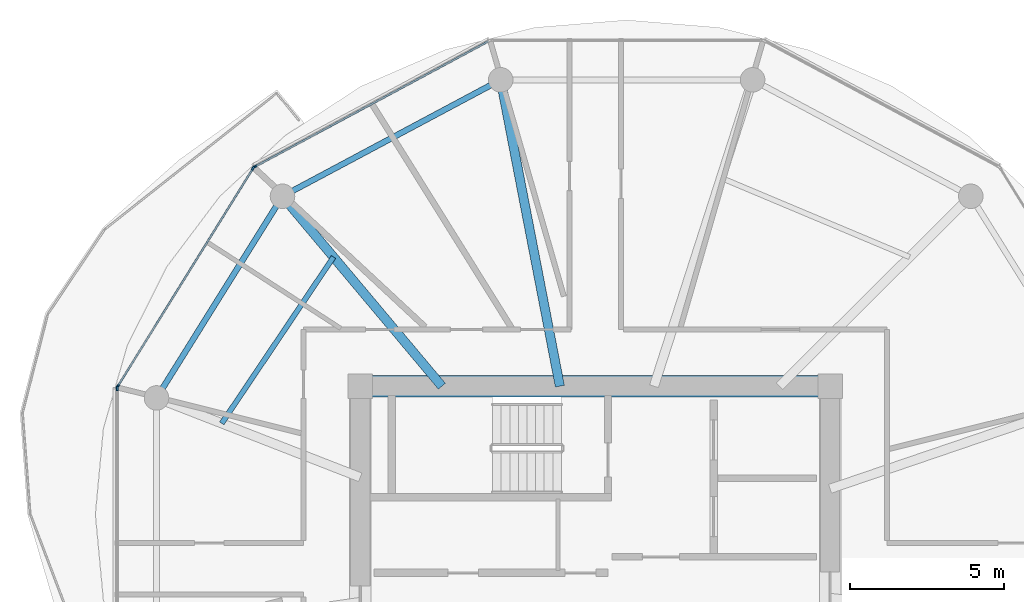
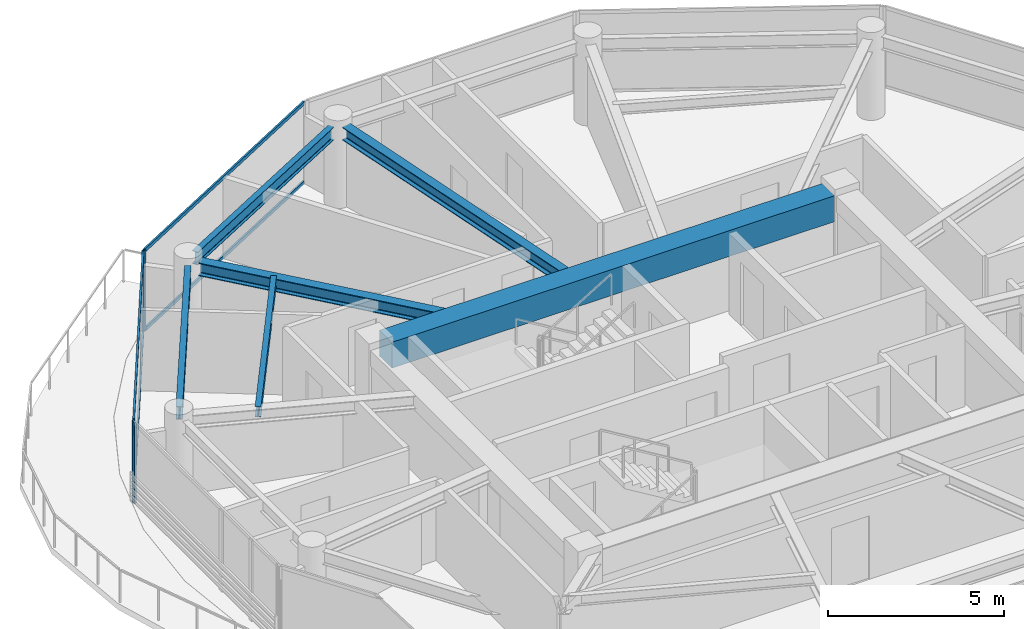
# One storey, part 4 of 23: 8 members, 6 beams, 3 elements without a shape of their own.
"""IFC4 building model written with IfcOpenShell, lengths in metres."""

from ifc_helpers import new_model, si_unit, direction, frame, origin, origin_2d, place, context, subcontext, project, spatial, rectangle, i_section, extrude, source, transform, mapped, material, layer, layer_set, material_profile, profile_set, type_object, type_shapes, element, aggregate, save


model = new_model("IFC4")

# Units and contexts
model_context = context("Model", 3, precision=1e-05, world=origin(), true_north=direction((0.0, 1.0)))
body_context = subcontext(model_context, "Body", "Model", "MODEL_VIEW")
ifc_project = project(units=[si_unit("LENGTHUNIT", "METRE"), si_unit("AREAUNIT", "SQUARE_METRE"), si_unit("VOLUMEUNIT", "CUBIC_METRE"), si_unit("PLANEANGLEUNIT", "RADIAN"), si_unit("MASSUNIT", "GRAM", prefix="KILO")], contexts=[model_context])

# Site, building, storey
site_placement = place(None, origin())
site = spatial("IfcSite", under=ifc_project, at=site_placement, CompositionType="ELEMENT")
building_placement = place(site_placement, origin())
building = spatial("IfcBuilding", under=site, at=building_placement, Name="Norrkilde Senior Care Towers", CompositionType="ELEMENT")
storey_placement = place(building_placement, frame((0.0, 0.0, 158.699951171875)))
storey = spatial("IfcBuildingStorey", under=building, at=storey_placement, Name="L49", CompositionType="ELEMENT", Elevation=158.699951171875)

# Beams
ifc_material_1 = material(Name="Concrete C60/75", Category="concrete")
ifc_material_profile_1 = material_profile(ifc_material_1, rectangle(XDim=0.699951171875, YDim=0.89990234375, at=origin_2d()), Name="RC BM 700x900")
ifc_profile_set_1 = profile_set([ifc_material_profile_1], Name="Concrete C60/75")
beam_type_1 = type_object("IfcBeamType", Name="Core Coupling Girder 700x900", PredefinedType="USERDEFINED", material=ifc_profile_set_1)
shared_shape_1 = source(origin(), body_context, "Body", "SweptSolid", [
    extrude(rectangle(XDim=0.699951171875, YDim=0.89990234375, at=origin_2d()), origin(), (0.0, 0.0, 1.0), 14.5400390625),
])
type_shapes(beam_type_1, [shared_shape_1])
beam_1_placement = place(storey_placement, frame((-35.27001953125, 5.949951171875, 2.360107421875), z_axis=(1.0, 0.0, 0.0), x_axis=(0.0, 1.0, 0.0)))
element("IfcBeam", 1, at=beam_1_placement, inside=storey, type_object=beam_type_1, Name="L49 Core W N Coupling Girder", ObjectType="GIRDER", PredefinedType="USERDEFINED", context=body_context, shape_type="MappedRepresentation", body=[
    mapped(shared_shape_1, transform((0.0, 0.0, 0.0), x_axis=(1.0, 0.0, 0.0), y_axis=(0.0, 1.0, 0.0), z_axis=(0.0, 0.0, 1.0), scale=1.0)),
])
ifc_material_2 = material(Name="Steel S355", Category="steel")
ifc_material_profile_2 = material_profile(ifc_material_2, i_section(OverallWidth=0.18994140625, OverallDepth=0.449951171875, WebThickness=0.009521484375, FlangeThickness=0.0146484375, FilletRadius=0.02099609375, at=origin_2d()), Name="IPE 450")
ifc_profile_set_2 = profile_set([ifc_material_profile_2], Name="Steel S355")
beam_type_2 = type_object("IfcBeamType", Name="Perimeter Ring Spandrel Z3 IPE450", PredefinedType="SPANDREL", material=ifc_profile_set_2)
shared_shape_2 = source(origin(), body_context, "Body", "SweptSolid", [
    extrude(i_section(OverallWidth=0.18994140625, OverallDepth=0.449951171875, WebThickness=0.009521484375, FlangeThickness=0.0146484375, FilletRadius=0.02099609375, at=origin_2d()), origin(), (0.0, 0.0, 1.0), 7.0234375),
])
beam_2_placement = place(storey_placement, frame((-38.373291015625, 11.8291015625, 2.5849609375), z_axis=(-0.529789577822, -0.848129119433, 0.0), x_axis=(0.848129119433, -0.529789577822, 0.0)))
element("IfcBeam", 2, at=beam_2_placement, inside=storey, type_object=beam_type_2, Name="L49 Drum W Perimeter Spandrel 05", PredefinedType="SPANDREL", context=body_context, shape_type="MappedRepresentation", body=[
    mapped(shared_shape_2, transform((0.0, 0.0, 0.0), x_axis=(1.0, 0.0, 0.0), y_axis=(0.0, 1.0, 0.0), z_axis=(0.0, 0.0, 1.0), scale=1.0)),
])
shared_shape_3 = source(origin(), body_context, "Body", "SweptSolid", [
    extrude(i_section(OverallWidth=0.18994140625, OverallDepth=0.449951171875, WebThickness=0.009521484375, FlangeThickness=0.0146484375, FilletRadius=0.02099609375, at=origin_2d()), origin(), (0.0, 0.0, 1.0), 7.333740234375),
])
type_shapes(beam_type_2, [shared_shape_2, shared_shape_3])
beam_3_placement = place(storey_placement, frame((-31.394775390625, 15.756591796875, 2.5849609375), z_axis=(-0.882247866069, -0.470785198172, 0.0), x_axis=(0.470785198172, -0.882247866069, 0.0)))
element("IfcBeam", 3, at=beam_3_placement, inside=storey, type_object=beam_type_2, Name="L49 Drum W Perimeter Spandrel 04", PredefinedType="SPANDREL", context=body_context, shape_type="MappedRepresentation", body=[
    mapped(shared_shape_3, transform((0.0, 0.0, 0.0), x_axis=(1.0, 0.0, 0.0), y_axis=(0.0, 1.0, 0.0), z_axis=(0.0, 0.0, 1.0), scale=1.0)),
])
ifc_material_profile_3 = material_profile(ifc_material_2, i_section(OverallWidth=0.300048828125, OverallDepth=0.449951171875, WebThickness=0.013916015625, FlangeThickness=0.02587890625, FilletRadius=0.027099609375, at=origin_2d()), Name="HEB 450")
ifc_profile_set_3 = profile_set([ifc_material_profile_3], Name="Steel S355")
beam_type_3 = type_object("IfcBeamType", Name="Radial Floor Beam Z3 HEB450", PredefinedType="BEAM", material=ifc_profile_set_3)
shared_shape_4 = source(origin(), body_context, "Body", "SweptSolid", [
    extrude(i_section(OverallWidth=0.300048828125, OverallDepth=0.449951171875, WebThickness=0.013916015625, FlangeThickness=0.02587890625, FilletRadius=0.027099609375, at=origin_2d()), origin(), (0.0, 0.0, 1.0), 9.80078125),
])
beam_4_placement = place(storey_placement, frame((-29.149658203125, 5.949951171875, 2.5849609375), z_axis=(-0.189716727661, 0.98183886827, 0.0), x_axis=(-0.98183886827, -0.189716727661, 0.0)))
element("IfcBeam", 4, at=beam_4_placement, inside=storey, type_object=beam_type_3, Name="L49 Drum W Radial Floor Beam 04", PredefinedType="BEAM", context=body_context, shape_type="MappedRepresentation", body=[
    mapped(shared_shape_4, transform((0.0, 0.0, 0.0), x_axis=(1.0, 0.0, 0.0), y_axis=(0.0, 1.0, 0.0), z_axis=(0.0, 0.0, 1.0), scale=1.0)),
])
shared_shape_5 = source(origin(), body_context, "Body", "SweptSolid", [
    extrude(i_section(OverallWidth=0.300048828125, OverallDepth=0.449951171875, WebThickness=0.013916015625, FlangeThickness=0.02587890625, FilletRadius=0.027099609375, at=origin_2d()), origin(), (0.0, 0.0, 1.0), 7.71337890625),
])
type_shapes(beam_type_3, [shared_shape_4, shared_shape_5])
beam_5_placement = place(storey_placement, frame((-32.992919921875, 5.949951171875, 2.5849609375), z_axis=(-0.642808239864, 0.766027131872, 0.0), x_axis=(-0.766027131872, -0.642808239864, 0.0)))
element("IfcBeam", 5, at=beam_5_placement, inside=storey, type_object=beam_type_3, Name="L49 Drum W Radial Floor Beam 05", PredefinedType="BEAM", context=body_context, shape_type="MappedRepresentation", body=[
    mapped(shared_shape_5, transform((0.0, 0.0, 0.0), x_axis=(1.0, 0.0, 0.0), y_axis=(0.0, 1.0, 0.0), z_axis=(0.0, 0.0, 1.0), scale=1.0)),
])
ifc_material_profile_4 = material_profile(ifc_material_2, i_section(OverallWidth=0.169921875, OverallDepth=0.360107421875, WebThickness=0.008056640625, FlangeThickness=0.0126953125, FilletRadius=0.01806640625, at=origin_2d()), Name="IPE 360")
ifc_profile_set_4 = profile_set([ifc_material_profile_4], Name="Steel S355")
beam_type_4 = type_object("IfcBeamType", Name="Secondary Floor Joist IPE360", PredefinedType="JOIST", material=ifc_profile_set_4)
shared_shape_6 = source(origin(), body_context, "Body", "SweptSolid", [
    extrude(i_section(OverallWidth=0.169921875, OverallDepth=0.360107421875, WebThickness=0.008056640625, FlangeThickness=0.0126953125, FilletRadius=0.01806640625, at=origin_2d()), origin(), (0.0, 0.0, 1.0), 6.525390625),
])
type_shapes(beam_type_4, [shared_shape_6])
beam_6_placement = place(storey_placement, frame((-36.52197265625, 10.155517578125, 2.630126953125), z_axis=(-0.55779590102, -0.829978152005, 0.0), x_axis=(0.829978152005, -0.55779590102, 0.0)))
element("IfcBeam", 6, at=beam_6_placement, inside=storey, type_object=beam_type_4, Name="L49 Drum W Secondary Floor Joist 2", PredefinedType="JOIST", context=body_context, shape_type="MappedRepresentation", body=[
    mapped(shared_shape_6, transform((0.0, 0.0, 0.0), x_axis=(1.0, 0.0, 0.0), y_axis=(0.0, 1.0, 0.0), z_axis=(0.0, 0.0, 1.0), scale=1.0)),
])

# Curtain wall, member
ifc_material_3 = material(Name="Triple Low-E Insulated Glazing", Category="glass")
ifc_layer = layer(ifc_material_3, 0.18994140625)
ifc_layer_set = layer_set([ifc_layer], Name="Triple Low-E Insulated Glazing")
curtain_wall_type = type_object("IfcCurtainWallType", Name="CW4 Zone 3 Senior Residence Curtain Wall", PredefinedType="NOTDEFINED", material=ifc_layer_set)
curtain_wall_1_placement = place(storey_placement, origin())
curtain_wall_1 = element("IfcCurtainWall", 7, at=curtain_wall_1_placement, inside=storey, type_object=curtain_wall_type, Name="L49 Drum W Curtain Wall 03", PredefinedType="NOTDEFINED")
ifc_material_4 = material(Name="Anodised Aluminium", Category="aluminium")
ifc_material_profile_5 = material_profile(ifc_material_4, rectangle(XDim=0.06494140625, YDim=0.14990234375, at=origin_2d()), Name="ALU MULL 65x150")
ifc_profile_set_5 = profile_set([ifc_material_profile_5], Name="Anodised Aluminium")
member_type_1 = type_object("IfcMemberType", Name="Curtain Wall Mullion Z3-Z4 65x150", PredefinedType="MULLION", material=ifc_profile_set_5)
shared_shape_7 = source(origin(), body_context, "Body", "SweptSolid", [
    extrude(rectangle(XDim=0.06494140625, YDim=0.14990234375, at=origin_2d()), origin(), (0.0, 0.0, 1.0), 2.81005859375),
])
type_shapes(member_type_1, [shared_shape_7])
member_1_placement = place(storey_placement, frame((-39.094482421875, 13.09033203125, 0.0), z_axis=(0.0, 0.0, 1.0), x_axis=(-0.47311715104, 0.880999524059, 0.0)))
member_1 = element("IfcMember", 8, at=member_1_placement, type_object=member_type_1, Name="CW-4 mullion 1", PredefinedType="MULLION", context=body_context, shape_type="MappedRepresentation", body=[
    mapped(shared_shape_7, transform((0.0, 0.0, 0.0), x_axis=(1.0, 0.0, 0.0), y_axis=(0.0, 1.0, 0.0), z_axis=(0.0, 0.0, 1.0), scale=1.0)),
])

# Curtain wall, members
curtain_wall_2_placement = place(storey_placement, origin())
curtain_wall_2 = element("IfcCurtainWall", 9, at=curtain_wall_2_placement, inside=storey, type_object=curtain_wall_type, Name="L49 Drum W Curtain Wall 04", PredefinedType="NOTDEFINED")
member_2_placement = place(storey_placement, frame((-43.552490234375, 5.93896484375, 0.0), z_axis=(0.0, 0.0, 1.0), x_axis=(-0.84963405474, 0.52737270789, 0.0)))
member_2 = element("IfcMember", 10, at=member_2_placement, type_object=member_type_1, Name="CW-4 mullion 1", PredefinedType="MULLION", context=body_context, shape_type="MappedRepresentation", body=[
    mapped(shared_shape_7, transform((0.0, 0.0, 0.0), x_axis=(1.0, 0.0, 0.0), y_axis=(0.0, 1.0, 0.0), z_axis=(0.0, 0.0, 1.0), scale=1.0)),
])
member_3_placement = place(storey_placement, frame((-39.14013671875, 13.04736328125, 0.0), z_axis=(0.0, 0.0, 1.0), x_axis=(-0.84963405474, 0.52737270789, 0.0)))
member_3 = element("IfcMember", 11, at=member_3_placement, type_object=member_type_1, Name="CW-4 mullion 2", PredefinedType="MULLION", context=body_context, shape_type="MappedRepresentation", body=[
    mapped(shared_shape_7, transform((0.0, 0.0, 0.0), x_axis=(1.0, 0.0, 0.0), y_axis=(0.0, 1.0, 0.0), z_axis=(0.0, 0.0, 1.0), scale=1.0)),
])

# Curtain wall, member
curtain_wall_3_placement = place(storey_placement, origin())
curtain_wall_3 = element("IfcCurtainWall", 12, at=curtain_wall_3_placement, inside=storey, type_object=curtain_wall_type, Name="L49 Drum W Curtain Wall 05", PredefinedType="NOTDEFINED")
member_4_placement = place(storey_placement, frame((-43.569580078125, 5.878662109375, 0.0), z_axis=(0.0, 0.0, 1.0), x_axis=(-1.0, 0.0, 0.0)))
member_4 = element("IfcMember", 13, at=member_4_placement, type_object=member_type_1, Name="CW-4 mullion 2", PredefinedType="MULLION", context=body_context, shape_type="MappedRepresentation", body=[
    mapped(shared_shape_7, transform((0.0, 0.0, 0.0), x_axis=(1.0, 0.0, 0.0), y_axis=(0.0, 1.0, 0.0), z_axis=(0.0, 0.0, 1.0), scale=1.0)),
])
aggregate(curtain_wall_3, [member_4])

# Member
ifc_material_profile_6 = material_profile(ifc_material_4, rectangle(XDim=0.06005859375, YDim=0.1201171875, at=origin_2d()), Name="ALU TRAN 60x120")
ifc_profile_set_6 = profile_set([ifc_material_profile_6], Name="Anodised Aluminium")
member_type_2 = type_object("IfcMemberType", Name="Curtain Wall Transom Typical 60x120", PredefinedType="USERDEFINED", material=ifc_profile_set_6)
shared_shape_8 = source(origin(), body_context, "Body", "SweptSolid", [
    extrude(rectangle(XDim=0.06005859375, YDim=0.1201171875, at=origin_2d()), origin(), (0.0, 0.0, 1.0), 8.301513671875),
])
member_5_placement = place(storey_placement, frame((-43.535400390625, 5.966552734375, 0.030029296875), z_axis=(0.527368718394, 0.849636531029, 0.0), x_axis=(-0.849636531029, 0.527368718394, 0.0)))
member_5 = element("IfcMember", 14, at=member_5_placement, type_object=member_type_2, Name="CW-4 transom 1.1", ObjectType="TRANSOM", PredefinedType="USERDEFINED", context=body_context, shape_type="MappedRepresentation", body=[
    mapped(shared_shape_8, transform((0.0, 0.0, 0.0), x_axis=(1.0, 0.0, 0.0), y_axis=(0.0, 1.0, 0.0), z_axis=(0.0, 0.0, 1.0), scale=1.0)),
])

member_6_placement = place(storey_placement, frame((-43.535400390625, 5.966552734375, 2.780029296875), z_axis=(0.527368718394, 0.849636531029, 0.0), x_axis=(-0.849636531029, 0.527368718394, 0.0)))
member_6 = element("IfcMember", 15, at=member_6_placement, type_object=member_type_2, Name="CW-4 transom 1.2", ObjectType="TRANSOM", PredefinedType="USERDEFINED", context=body_context, shape_type="MappedRepresentation", body=[
    mapped(shared_shape_8, transform((0.0, 0.0, 0.0), x_axis=(1.0, 0.0, 0.0), y_axis=(0.0, 1.0, 0.0), z_axis=(0.0, 0.0, 1.0), scale=1.0)),
])

aggregate(curtain_wall_2, [member_2, member_3, member_5, member_6])

shared_shape_9 = source(origin(), body_context, "Body", "SweptSolid", [
    extrude(rectangle(XDim=0.06005859375, YDim=0.1201171875, at=origin_2d()), origin(), (0.0, 0.0, 1.0), 8.612060546875),
])
type_shapes(member_type_2, [shared_shape_8, shared_shape_9])
member_7_placement = place(storey_placement, frame((-39.06591796875, 13.105712890625, 0.030029296875), z_axis=(0.881000337462, 0.473115636384, 0.0), x_axis=(-0.473115636384, 0.881000337462, 0.0)))
member_7 = element("IfcMember", 16, at=member_7_placement, type_object=member_type_2, Name="CW-4 transom 1.1", ObjectType="TRANSOM", PredefinedType="USERDEFINED", context=body_context, shape_type="MappedRepresentation", body=[
    mapped(shared_shape_9, transform((0.0, 0.0, 0.0), x_axis=(1.0, 0.0, 0.0), y_axis=(0.0, 1.0, 0.0), z_axis=(0.0, 0.0, 1.0), scale=1.0)),
])

member_8_placement = place(storey_placement, frame((-39.06591796875, 13.105712890625, 2.780029296875), z_axis=(0.881000337462, 0.473115636384, 0.0), x_axis=(-0.473115636384, 0.881000337462, 0.0)))
member_8 = element("IfcMember", 17, at=member_8_placement, type_object=member_type_2, Name="CW-4 transom 1.2", ObjectType="TRANSOM", PredefinedType="USERDEFINED", context=body_context, shape_type="MappedRepresentation", body=[
    mapped(shared_shape_9, transform((0.0, 0.0, 0.0), x_axis=(1.0, 0.0, 0.0), y_axis=(0.0, 1.0, 0.0), z_axis=(0.0, 0.0, 1.0), scale=1.0)),
])

aggregate(curtain_wall_1, [member_1, member_7, member_8])

save(model, "model.ifc")
